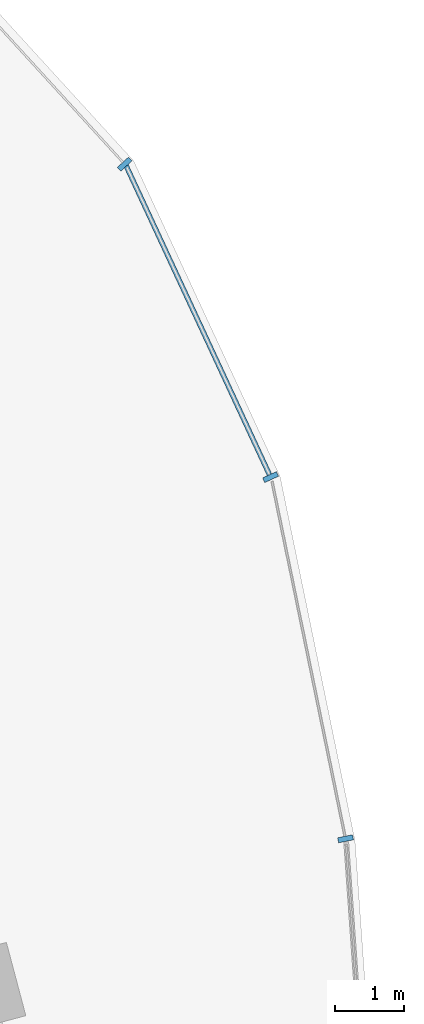
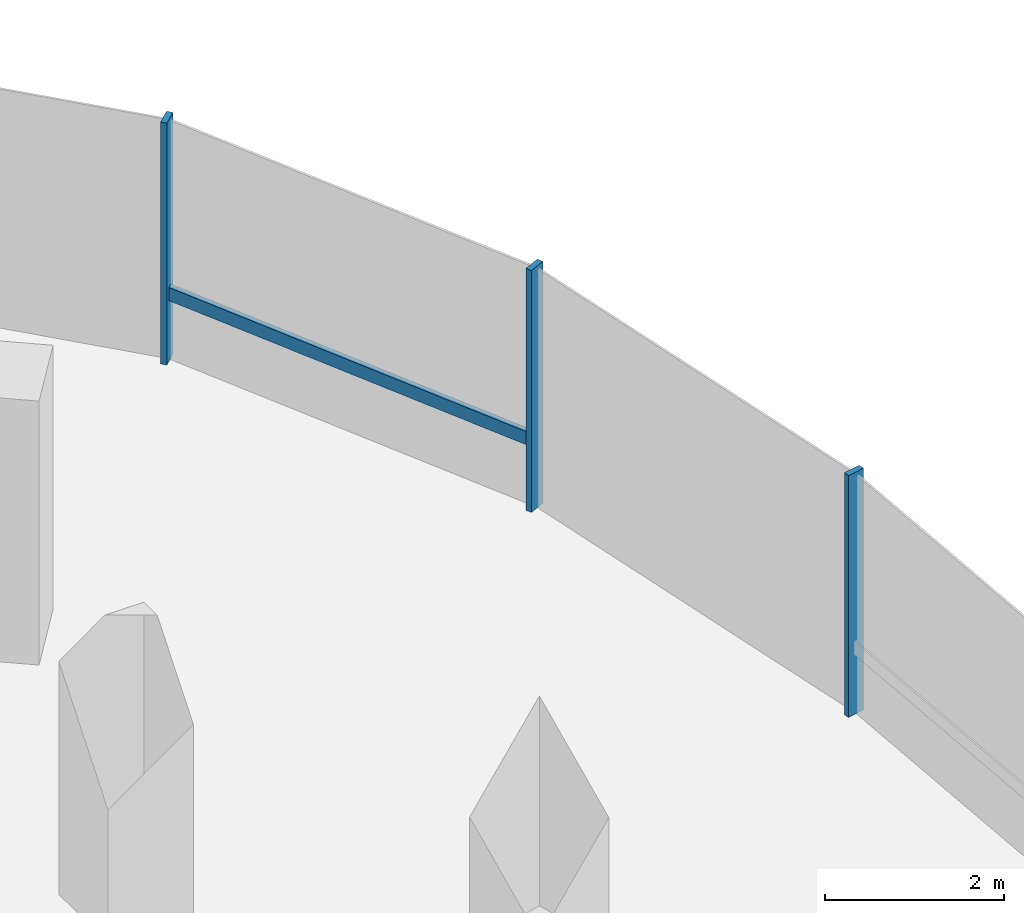
# One storey, part 8 of 21: 4 members, 1 element without a shape of its own.
"""IFC4 building model written with IfcOpenShell, lengths in metres."""

from ifc_helpers import new_model, si_unit, direction, frame, origin, origin_2d, place, context, subcontext, project, spatial, rectangle, extrude, material, material_profile, profile_set, type_object, element, aggregate, save


model = new_model("IFC4")

# Units and contexts
model_context = context("Model", 3, precision=1e-05, world=origin(), true_north=direction((0.0, 1.0)))
body_context = subcontext(model_context, "Body", "Model", "MODEL_VIEW")
ifc_project = project(units=[si_unit("LENGTHUNIT", "METRE"), si_unit("AREAUNIT", "SQUARE_METRE"), si_unit("VOLUMEUNIT", "CUBIC_METRE"), si_unit("PLANEANGLEUNIT", "RADIAN"), si_unit("MASSUNIT", "GRAM", prefix="KILO"), si_unit("THERMODYNAMICTEMPERATUREUNIT", "KELVIN"), si_unit("POWERUNIT", "WATT")], contexts=[model_context])

# Site, building, storey
site_placement = place(None, origin())
site = spatial("IfcSite", under=ifc_project, at=site_placement, CompositionType="ELEMENT")
building_placement = place(site_placement, origin())
building = spatial("IfcBuilding", under=site, at=building_placement, Name="Cundina Bronze Exchange", CompositionType="ELEMENT")
storey_placement = place(building_placement, frame((0.0, 0.0, 89.0)))
storey = spatial("IfcBuildingStorey", under=building, at=storey_placement, Name="L22", CompositionType="ELEMENT", Elevation=89.0)

# Curtain wall, members
ifc_material = material(Name="Anodised Bronze Aluminium 6063-T6", Category="aluminium")
curtain_wall_type = type_object("IfcCurtainWallType", Name="CWS-TRD-MID", PredefinedType="NOTDEFINED", material=ifc_material)
curtain_wall_placement = place(storey_placement, origin())
curtain_wall = element("IfcCurtainWall", 1, at=curtain_wall_placement, inside=storey, type_object=curtain_wall_type, Name="L22 CW-03 Curtain Wall Run CWR-L22-E1", PredefinedType="NOTDEFINED")
ifc_material_profile_1 = material_profile(ifc_material, rectangle(XDim=0.074951171875, YDim=0.219970703125, at=origin_2d()), Name="AL75X220", Category="aluminium")
ifc_profile_set_1 = profile_set([ifc_material_profile_1], Name="Anodised Bronze Aluminium 6063-T6")
member_type_1 = type_object("IfcMemberType", Name="CWM-MUL-220", PredefinedType="MULLION", material=ifc_profile_set_1)
member_1_placement = place(storey_placement, frame((50.717041015625, 8.67822265625, 0.0), z_axis=(0.0, 0.0, 1.0), x_axis=(-0.201419845156, 0.979505000486, 0.0)))
member_1 = element("IfcMember", 2, at=member_1_placement, type_object=member_type_1, Name="CW-03 Mullion 2", PredefinedType="MULLION", context=body_context, shape_type="SweptSolid", body=[
    extrude(rectangle(XDim=0.074951171875, YDim=0.219970703125, at=origin_2d()), origin(), (0.0, 0.0, 1.0), 3.300048828125),
])
member_2_placement = place(storey_placement, frame((49.6279296875, 13.931884765625, 0.0), z_axis=(0.0, 0.0, 1.0), x_axis=(-0.42087749791, 0.907117485088, 0.0)))
member_2 = element("IfcMember", 3, at=member_2_placement, type_object=member_type_1, Name="CW-03 Mullion 3", PredefinedType="MULLION", context=body_context, shape_type="SweptSolid", body=[
    extrude(rectangle(XDim=0.074951171875, YDim=0.219970703125, at=origin_2d()), origin(), (0.0, 0.0, 1.0), 3.300048828125),
])
member_3_placement = place(storey_placement, frame((47.508544921875, 18.47705078125, 0.0), z_axis=(0.0, 0.0, 1.0), x_axis=(-0.674302387584, 0.738455340626, 0.0)))
member_3 = element("IfcMember", 4, at=member_3_placement, type_object=member_type_1, Name="CW-03 Mullion 4", PredefinedType="MULLION", context=body_context, shape_type="SweptSolid", body=[
    extrude(rectangle(XDim=0.074951171875, YDim=0.219970703125, at=origin_2d()), origin(), (0.0, 0.0, 1.0), 3.300048828125),
])
ifc_material_profile_2 = material_profile(ifc_material, rectangle(XDim=0.070068359375, YDim=0.179931640625, at=origin_2d()), Name="AL70X180", Category="aluminium")
ifc_profile_set_2 = profile_set([ifc_material_profile_2], Name="Anodised Bronze Aluminium 6063-T6")
member_type_2 = type_object("IfcMemberType", Name="CWM-TRN-180", PredefinedType="USERDEFINED", material=ifc_profile_set_2)
member_4_placement = place(storey_placement, frame((49.610595703125, 13.96923828125, 0.919921875), z_axis=(-0.420811422796, 0.907148139195, 0.0), x_axis=(-0.907148139195, -0.420811422796, 0.0)))
member_4 = element("IfcMember", 5, at=member_4_placement, type_object=member_type_2, Name="CW-03 Spandrel Transom 3", ObjectType="TRANSOM", PredefinedType="USERDEFINED", context=body_context, shape_type="SweptSolid", body=[
    extrude(rectangle(XDim=0.070068359375, YDim=0.179931640625, at=origin_2d()), origin(), (0.0, 0.0, 1.0), 4.95166015625),
])
aggregate(curtain_wall, [member_1, member_2, member_4, member_3])

save(model, "model.ifc")
